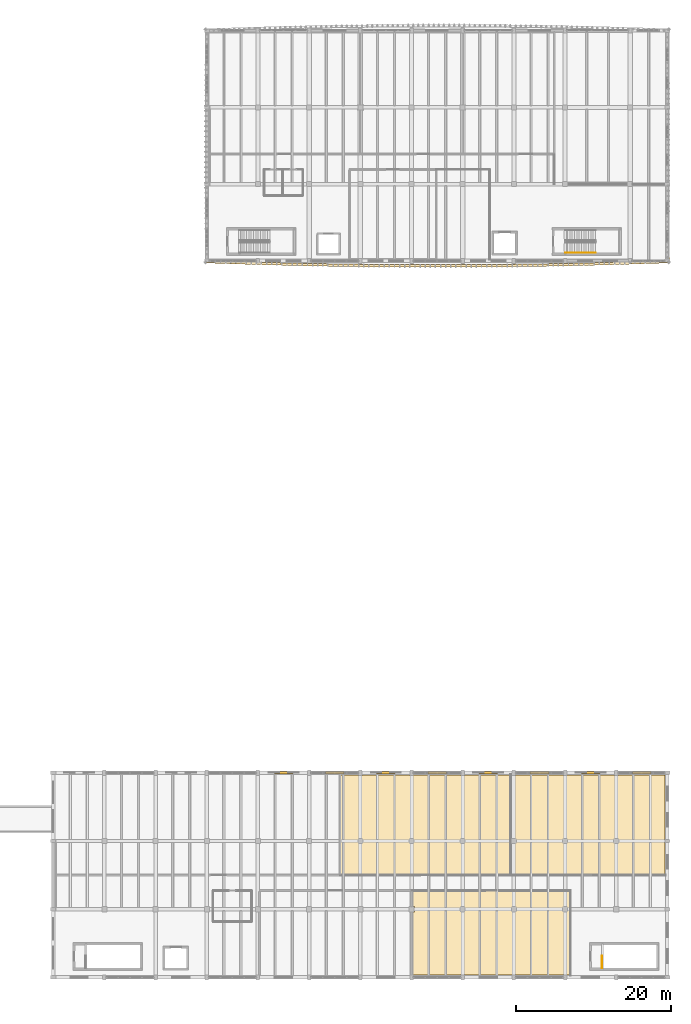
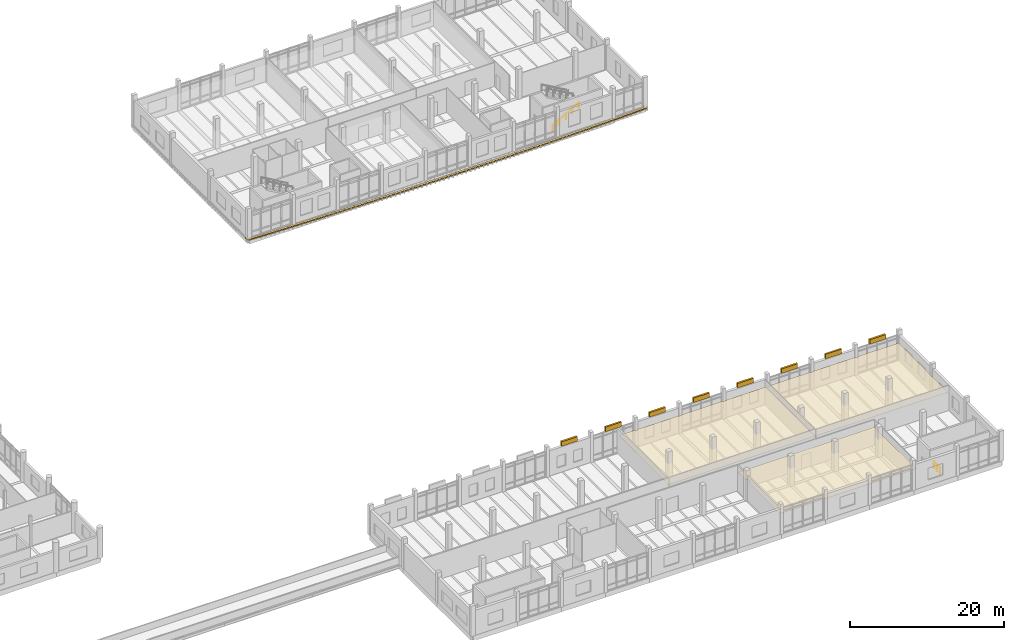
# One storey, part 66 of 76: 8 shading devices, 4 coverings, 2 railings.
"""IFC4 building model written with IfcOpenShell, lengths in metres."""

from ifc_helpers import new_model, si_unit, direction, frame, origin, origin_2d, place, context, subcontext, project, spatial, polyline, rectangle, circle, outline, extrude, material, layer, layer_set, type_object, element, save


model = new_model("IFC4")

# Units and contexts
model_context = context("Model", 3, precision=1e-05, world=origin(), true_north=direction((0.0, 1.0)))
body_context = subcontext(model_context, "Body", "Model", "MODEL_VIEW")
ifc_project = project(units=[si_unit("LENGTHUNIT", "METRE"), si_unit("AREAUNIT", "SQUARE_METRE"), si_unit("VOLUMEUNIT", "CUBIC_METRE"), si_unit("PLANEANGLEUNIT", "RADIAN"), si_unit("MASSUNIT", "GRAM", prefix="KILO")], contexts=[model_context])

# Site, building, storey
site_placement = place(None, origin())
site = spatial("IfcSite", under=ifc_project, at=site_placement, CompositionType="ELEMENT")
building_placement = place(site_placement, origin())
building = spatial("IfcBuilding", under=site, at=building_placement, Name="Dornvale Research Institute", CompositionType="ELEMENT")
storey_placement = place(building_placement, frame((0.0, 0.0, 15.0)))
storey = spatial("IfcBuildingStorey", under=building, at=storey_placement, Name="L03", CompositionType="ELEMENT", Elevation=15.0)

# Coverings
ifc_material_1 = material(Name="Mineral-Fibre Acoustic Lay-In Ceiling Tile System")
ifc_layer_1 = layer(ifc_material_1, 0.02001953125)
ifc_layer_set_1 = layer_set([ifc_layer_1], Name="Mineral-Fibre Acoustic Lay-In Ceiling Tile System")
covering_type_1 = type_object("IfcCoveringType", Name="Covering_Acoustic_Ceiling", PredefinedType="CEILING", material=ifc_layer_set_1)
covering_1_placement = place(storey_placement, frame((0.0, 0.0, 2.85009765625)))
element("IfcCovering", 1, at=covering_1_placement, inside=storey, type_object=covering_type_1, Name="L03 Photonics Packaging and Reliability Lab suspended ceiling", PredefinedType="CEILING", context=body_context, shape_type="SweptSolid", body=[
    extrude(outline(polyline([(144.925048828125, 26.02490234375), (145.47509765625, 26.02490234375), (145.47509765625, 26.10009765625), (151.52490234375, 26.10009765625), (151.52490234375, 26.02490234375), (152.074951171875, 26.02490234375), (152.074951171875, 26.10009765625), (157.97998046875, 26.10009765625), (157.97998046875, 13.219970703125), (136.02001953125, 13.219970703125), (136.02001953125, 26.10009765625), (138.324951171875, 26.10009765625), (138.324951171875, 26.02490234375), (138.875, 26.02490234375), (138.875, 26.10009765625), (144.925048828125, 26.10009765625), (144.925048828125, 26.02490234375)])), origin(), (0.0, 0.0, 1.0), 0.02001953125),
])
covering_2_placement = place(storey_placement, frame((0.0, 0.0, 2.85009765625)))
element("IfcCovering", 2, at=covering_2_placement, inside=storey, type_object=covering_type_1, Name="L03 Cleanroom Operations Control Suite suspended ceiling", PredefinedType="CEILING", context=body_context, shape_type="SweptSolid", body=[
    extrude(outline(polyline([(158.125, 26.02490234375), (158.675048828125, 26.02490234375), (158.675048828125, 26.10009765625), (164.72509765625, 26.10009765625), (164.72509765625, 26.02490234375), (165.27490234375, 26.02490234375), (165.27490234375, 26.10009765625), (171.324951171875, 26.10009765625), (171.324951171875, 26.02490234375), (171.875, 26.02490234375), (171.875, 26.10009765625), (177.89990234375, 26.10009765625), (177.89990234375, 17.875), (177.824951171875, 17.875), (177.824951171875, 17.324951171875), (177.89990234375, 17.324951171875), (177.89990234375, 13.219970703125), (158.02001953125, 13.219970703125), (158.02001953125, 26.10009765625), (158.125, 26.10009765625), (158.125, 26.02490234375)])), origin(), (0.0, 0.0, 1.0), 0.02001953125),
])
covering_3_placement = place(storey_placement, frame((0.0, 0.0, 2.85009765625)))
element("IfcCovering", 3, at=covering_3_placement, inside=storey, type_object=covering_type_1, Name="L03 Nanometrology Calibration Suite L03 suspended ceiling", PredefinedType="CEILING", context=body_context, shape_type="SweptSolid", body=[
    extrude(outline(polyline([(158.675048828125, 0.375), (158.125, 0.375), (158.125, 0.300048828125), (152.074951171875, 0.300048828125), (152.074951171875, 0.375), (151.52490234375, 0.375), (151.52490234375, 0.300048828125), (145.47509765625, 0.300048828125), (145.47509765625, 0.375), (145.219970703125, 0.375), (145.219970703125, 8.425048828125), (145.574951171875, 8.425048828125), (145.574951171875, 9.175048828125), (145.219970703125, 9.175048828125), (145.219970703125, 11.179931640625), (165.679931640625, 11.179931640625), (165.679931640625, 0.300048828125), (165.27490234375, 0.300048828125), (165.27490234375, 0.375), (164.72509765625, 0.375), (164.72509765625, 0.300048828125), (158.675048828125, 0.300048828125), (158.675048828125, 0.375)])), origin(), (0.0, 0.0, 1.0), 0.02001953125),
])
ifc_material_2 = material(Name="Polychrome Glazed Terracotta Visor Rib Ceramic", Category="masonry")
ifc_layer_2 = layer(ifc_material_2, 0.179931640625)
ifc_layer_set_2 = layer_set([ifc_layer_2], Name="Polychrome Glazed Terracotta Visor Rib Ceramic")
covering_type_2 = type_object("IfcCoveringType", Name="Covering_VisorBrim_LowShelf", PredefinedType="CLADDING", material=ifc_layer_set_2)
covering_4_placement = place(storey_placement, frame((0.0, 0.0, -0.260009765625)))
element("IfcCovering", 4, at=covering_4_placement, inside=storey, type_object=covering_type_2, Name="L03 V4 canted bowed-brim visor hood #52", PredefinedType="CLADDING", context=body_context, shape_type="SweptSolid", body=[
    extrude(outline(polyline([(178.459228515625, 92.39990234375), (178.4404296875, 92.302978515625), (178.386474609375, 92.219970703125), (178.3056640625, 92.163330078125), (178.209228515625, 92.14111328125), (176.559326171875, 92.08154296875), (176.558837890625, 92.08154296875), (174.90869140625, 92.025390625), (174.908203125, 92.025390625), (173.25830078125, 91.972900390625), (173.2578125, 91.972900390625), (171.607666015625, 91.923583984375), (171.607177734375, 91.923583984375), (169.957275390625, 91.877685546875), (169.956787109375, 91.877685546875), (168.306640625, 91.835205078125), (168.30615234375, 91.835205078125), (166.656005859375, 91.79638671875), (166.655517578125, 91.79638671875), (165.005615234375, 91.7607421875), (165.005126953125, 91.760498046875), (163.35498046875, 91.728271484375), (163.3544921875, 91.728271484375), (161.70458984375, 91.699462890625), (161.7041015625, 91.699462890625), (160.053955078125, 91.674072265625), (160.053466796875, 91.674072265625), (158.403564453125, 91.65185546875), (158.40283203125, 91.65185546875), (156.7529296875, 91.63330078125), (156.75244140625, 91.63330078125), (155.102294921875, 91.617919921875), (155.101806640625, 91.617919921875), (153.451904296875, 91.606201171875), (153.451416015625, 91.606201171875), (151.80126953125, 91.59765625), (151.80078125, 91.59765625), (150.15087890625, 91.592529296875), (150.150390625, 91.592529296875), (148.500244140625, 91.5908203125), (148.499755859375, 91.5908203125), (146.849609375, 91.592529296875), (146.84912109375, 91.592529296875), (145.19921875, 91.59765625), (145.19873046875, 91.59765625), (143.548583984375, 91.606201171875), (143.548095703125, 91.606201171875), (141.898193359375, 91.617919921875), (141.897705078125, 91.617919921875), (140.24755859375, 91.63330078125), (140.2470703125, 91.63330078125), (138.59716796875, 91.65185546875), (138.596435546875, 91.65185546875), (136.946533203125, 91.674072265625), (136.946044921875, 91.674072265625), (135.2958984375, 91.699462890625), (135.29541015625, 91.699462890625), (133.6455078125, 91.728271484375), (133.64501953125, 91.728271484375), (131.994873046875, 91.760498046875), (131.994384765625, 91.7607421875), (130.344482421875, 91.79638671875), (130.343994140625, 91.79638671875), (128.69384765625, 91.835205078125), (128.693359375, 91.835205078125), (127.043212890625, 91.877685546875), (127.042724609375, 91.877685546875), (125.392822265625, 91.923583984375), (125.392333984375, 91.923583984375), (123.7421875, 91.972900390625), (123.74169921875, 91.972900390625), (122.091796875, 92.025390625), (122.09130859375, 92.025390625), (120.441162109375, 92.08154296875), (120.440673828125, 92.08154296875), (118.790771484375, 92.14111328125), (118.6943359375, 92.163330078125), (118.613525390625, 92.219970703125), (118.5595703125, 92.302978515625), (118.540771484375, 92.39990234375), (118.540771484375, 92.85009765625), (118.860107421875, 92.85009765625), (118.860107421875, 92.4580078125), (120.4521484375, 92.400634765625), (122.10205078125, 92.344482421875), (123.751953125, 92.2919921875), (125.401611328125, 92.24267578125), (127.051513671875, 92.197021484375), (128.701416015625, 92.154296875), (130.351318359375, 92.115478515625), (132.001220703125, 92.079833984375), (133.651123046875, 92.047607421875), (135.301025390625, 92.0185546875), (136.950927734375, 91.9931640625), (138.6005859375, 91.97119140625), (140.25048828125, 91.952392578125), (141.900390625, 91.937255859375), (143.55029296875, 91.92529296875), (145.2001953125, 91.916748046875), (146.85009765625, 91.91162109375), (148.5, 91.909912109375), (150.14990234375, 91.91162109375), (151.7998046875, 91.916748046875), (153.44970703125, 91.92529296875), (155.099609375, 91.937255859375), (156.74951171875, 91.952392578125), (158.3994140625, 91.97119140625), (160.049072265625, 91.9931640625), (161.698974609375, 92.0185546875), (163.348876953125, 92.047607421875), (164.998779296875, 92.079833984375), (166.648681640625, 92.115478515625), (168.298583984375, 92.154296875), (169.948486328125, 92.197021484375), (171.598388671875, 92.24267578125), (173.248046875, 92.2919921875), (174.89794921875, 92.344482421875), (176.5478515625, 92.400634765625), (178.139892578125, 92.4580078125), (178.139892578125, 92.85009765625), (178.459228515625, 92.85009765625), (178.459228515625, 92.39990234375)])), origin(), (0.0, 0.0, 1.0), 0.179931640625),
])

# Railings
ifc_material_3 = material(Name="Galvanized Painted Tubular Steel Stair Rail", Category="steel")
ifc_layer_3 = layer(ifc_material_3, 0.050048828125)
ifc_layer_set_3 = layer_set([ifc_layer_3], Name="Galvanized Painted Tubular Steel Stair Rail")
railing_type_1 = type_object("IfcRailingType", Name="Railing_Stair_Guard_1100", PredefinedType="GUARDRAIL", material=ifc_layer_set_3)
railing_1_placement = place(storey_placement, frame((169.77001953125, 1.199951171875, 0.0)))
element("IfcRailing", 5, at=railing_1_placement, inside=storey, type_object=railing_type_1, Name="L03 ST-6 top well guard 1", PredefinedType="GUARDRAIL", context=body_context, shape_type="SweptSolid", body=[
    extrude(circle(Radius=0.02392578125, at=origin_2d()), frame((0.0, 0.0, 1.076171875), z_axis=(0.0, 1.0, 0.0), x_axis=(-1.0, 0.0, 0.0)), (0.0, 0.0, 1.0), 1.580078125),
    extrude(circle(Radius=0.02099609375, at=origin_2d()), origin(), (0.0, 0.0, 1.0), 1.052001953125),
    extrude(circle(Radius=0.02099609375, at=origin_2d()), frame((0.0, 0.7900390625, 0.0)), (0.0, 0.0, 1.0), 1.052001953125),
    extrude(circle(Radius=0.02099609375, at=origin_2d()), frame((0.0, 1.580078125, 0.0)), (0.0, 0.0, 1.0), 1.052001953125),
])
ifc_material_4 = material(Name="Galvanized Painted Tubular Steel Stair Rail", Category="steel")
ifc_layer_4 = layer(ifc_material_4, 0.044921875)
ifc_layer_set_4 = layer_set([ifc_layer_4], Name="Galvanized Painted Tubular Steel Stair Rail")
railing_type_2 = type_object("IfcRailingType", Name="Railing_Stair_Handrail_900", PredefinedType="HANDRAIL", material=ifc_layer_set_4)
railing_2_placement = place(storey_placement, frame((165.02001953125, 93.449951171875, 0.17138671875)))
element("IfcRailing", 6, at=railing_2_placement, inside=storey, type_object=railing_type_2, Name="L03 ST-4 stair handrail 1", PredefinedType="HANDRAIL", context=body_context, shape_type="SweptSolid", body=[
    extrude(circle(Radius=0.02392578125, at=origin_2d()), frame((0.0, 0.0, 0.8759765625), z_axis=(0.868243142124, 0.0, 0.496138938357), x_axis=(0.0, 1.0, 0.0)), (0.0, 0.0, 1.0), 4.49169921875),
    extrude(circle(Radius=0.02099609375, at=origin_2d()), origin(), (0.0, 0.0, 1.0), 0.851806640625),
    extrude(circle(Radius=0.02099609375, at=origin_2d()), frame((0.97509765625, 0.0, 0.55712890625)), (0.0, 0.0, 1.0), 0.851806640625),
    extrude(circle(Radius=0.02099609375, at=origin_2d()), frame((1.949951171875, 0.0, 1.1142578125)), (0.0, 0.0, 1.0), 0.851806640625),
    extrude(circle(Radius=0.02099609375, at=origin_2d()), frame((2.9248046875, 0.0, 1.67138671875)), (0.0, 0.0, 1.0), 0.851806640625),
    extrude(circle(Radius=0.02099609375, at=origin_2d()), frame((3.89990234375, 0.0, 2.228515625)), (0.0, 0.0, 1.0), 0.851806640625),
])

# Shading devices
ifc_material_5 = material(Name="Extruded Aluminum Acoustic Intake Louvre", Category="aluminium")
ifc_layer_5 = layer(ifc_material_5, 0.139892578125)
ifc_layer_set_5 = layer_set([ifc_layer_5], Name="Extruded Aluminum Acoustic Intake Louvre")
shading_device_type = type_object("IfcShadingDeviceType", Name="Shading_Acoustic_Louvre", PredefinedType="USERDEFINED", material=ifc_layer_set_5)
for number, where, z_axis, x_axis, name in (
    (7, (128.699951171875, 26.39990234375, 4.02001953125), (0.0, 0.0, 1.0), (1.0, 0.0, 0.0), "L03 V3 extruded aluminum acoustic louvre #5"),
    (8, (135.300048828125, 26.39990234375, 4.02001953125), (0.0, 0.0, 1.0), (1.0, 0.0, 0.0), "L03 V3 extruded aluminum acoustic louvre #6"),
    (9, (141.89990234375, 26.39990234375, 4.02001953125), (0.0, 0.0, 1.0), (1.0, 0.0, 0.0), "L03 V3 extruded aluminum acoustic louvre #7"),
    (10, (148.5, 26.39990234375, 4.02001953125), (0.0, 0.0, 1.0), (1.0, 0.0, 0.0), "L03 V3 extruded aluminum acoustic louvre #8"),
    (11, (155.10009765625, 26.39990234375, 4.02001953125), (0.0, 0.0, 1.0), (1.0, 0.0, 0.0), "L03 V3 extruded aluminum acoustic louvre #9"),
    (12, (161.699951171875, 26.39990234375, 4.02001953125), (0.0, 0.0, 1.0), (1.0, 0.0, 0.0), "L03 V3 extruded aluminum acoustic louvre #10"),
    (13, (168.300048828125, 26.39990234375, 4.02001953125), (0.0, 0.0, 1.0), (1.0, 0.0, 0.0), "L03 V3 extruded aluminum acoustic louvre #11"),
    (14, (174.89990234375, 26.39990234375, 4.02001953125), (0.0, 0.0, 1.0), (1.0, 0.0, 0.0), "L03 V3 extruded aluminum acoustic louvre #12"),
):
    element("IfcShadingDevice", number, at=place(storey_placement, frame(where, z_axis=z_axis, x_axis=x_axis)), inside=storey, type_object=shading_device_type, Name=name, ObjectType="LOUVRE", PredefinedType="USERDEFINED", context=body_context, shape_type="SweptSolid", body=[
        extrude(rectangle(XDim=2.39990234375, YDim=0.280029296875, at=origin_2d()), origin(), (0.0, 0.0, 1.0), 0.719970703125),
    ])

save(model, "model.ifc")
